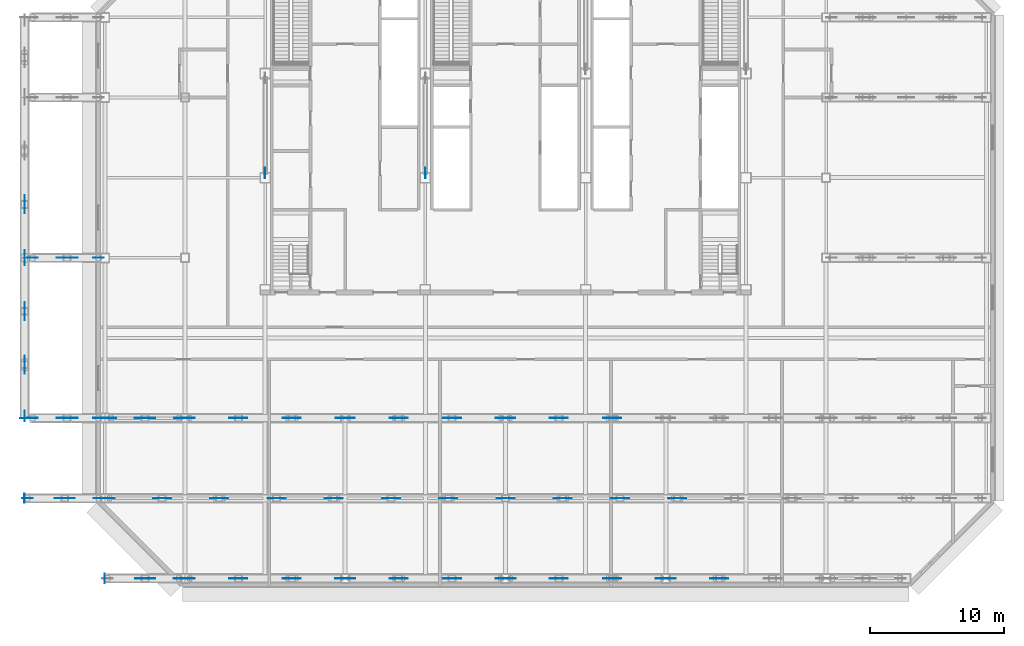
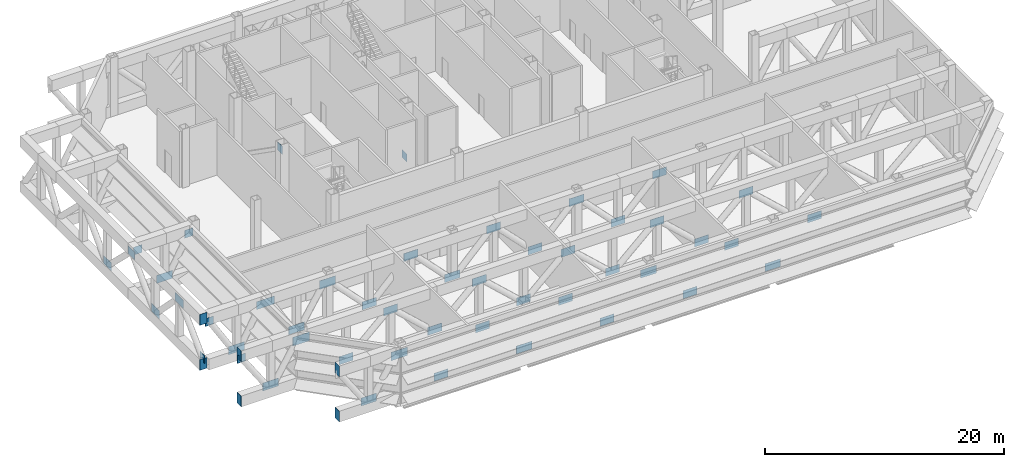
# One storey, part 11 of 17: 54 discrete accessories.
"""IFC4 building model written with IfcOpenShell, lengths in metres."""

from ifc_helpers import new_model, si_unit, direction, frame, origin, origin_2d, place, context, subcontext, project, spatial, rectangle, extrude, material, layer, layer_set, type_object, element, save


model = new_model("IFC4")

# Units and contexts
model_context = context("Model", 3, precision=1e-05, world=origin(), true_north=direction((0.0, 1.0)))
body_context = subcontext(model_context, "Body", "Model", "MODEL_VIEW")
ifc_project = project(units=[si_unit("LENGTHUNIT", "METRE"), si_unit("AREAUNIT", "SQUARE_METRE"), si_unit("VOLUMEUNIT", "CUBIC_METRE"), si_unit("PLANEANGLEUNIT", "RADIAN"), si_unit("MASSUNIT", "GRAM", prefix="KILO")], contexts=[model_context])

# Site, building, storey
site_placement = place(None, origin())
site = spatial("IfcSite", under=ifc_project, at=site_placement, CompositionType="ELEMENT")
building_placement = place(site_placement, origin())
building = spatial("IfcBuilding", under=site, at=building_placement, Name="Sorahane Residences", CompositionType="ELEMENT")
storey_placement = place(building_placement, frame((0.0, 0.0, 186.0)))
storey = spatial("IfcBuildingStorey", under=building, at=storey_placement, Name="L43", CompositionType="ELEMENT", Elevation=186.0)

# Discrete accessories
ifc_material_1 = material(Name="Steel Q420GJ", Category="steel")
ifc_layer_1 = layer(ifc_material_1, 0.02001953125)
ifc_layer_set_1 = layer_set([ifc_layer_1], Name="End plate Steel Q420GJ 700x1100x20")
discrete_accessory_type_1 = type_object("IfcDiscreteAccessoryType", Name="End plate Steel Q420GJ 700x1100x20", PredefinedType="USERDEFINED", material=ifc_layer_set_1)
for number, where, z_axis, x_axis, name in (
    (1, (-6.010009765625, 0.0, 0.0), (0.0, 0.0, 1.0), (1.0, 0.0, 0.0), "End plate L43"),
    (2, (-6.010009765625, 0.0, 4.599853515625), (0.0, 0.0, 1.0), (1.0, 0.0, 0.0), "End plate L43"),
    (3, (-12.010009765625, 6.0, 0.0), (0.0, 0.0, 1.0), (1.0, 0.0, 0.0), "End plate L43"),
    (4, (-12.010009765625, 6.0, 4.599853515625), (0.0, 0.0, 1.0), (1.0, 0.0, 0.0), "End plate L43"),
    (5, (-12.0, 11.989990234375, 0.0), (0.0, 0.0, 1.0), (0.0, 1.0, 0.0), "End plate L43"),
    (6, (-12.0, 11.989990234375, 4.599853515625), (0.0, 0.0, 1.0), (0.0, 1.0, 0.0), "End plate L43"),
):
    element("IfcDiscreteAccessory", number, at=place(storey_placement, frame(where, z_axis=z_axis, x_axis=x_axis)), inside=storey, type_object=discrete_accessory_type_1, Name=name, ObjectType="END PLATE", PredefinedType="USERDEFINED", context=body_context, shape_type="SweptSolid", body=[
        extrude(rectangle(XDim=0.02001953125, YDim=0.699951171875, at=origin_2d()), origin(), (0.0, 0.0, 1.0), 1.10009765625),
    ])
ifc_material_2 = material(Name="Steel Q355B", Category="steel")
ifc_layer_2 = layer(ifc_material_2, 0.02490234375)
ifc_layer_set_2 = layer_set([ifc_layer_2], Name="Node plate Steel Q355B 25")
discrete_accessory_type_2 = type_object("IfcDiscreteAccessoryType", Name="Node plate Steel Q355B 25", PredefinedType="BRACKET", material=ifc_layer_set_2)
for number, where, z_axis, x_axis, name in (
    (7, (6.0, 30.33984375, 4.71728515625), (0.0, 0.0, 1.0), (0.0, 1.0, 0.0), "Node plate L43 br"),
    (8, (18.0, 30.33984375, -0.26708984375), (0.0, 0.0, 1.0), (0.0, 1.0, 0.0), "Node plate L43 br"),
):
    element("IfcDiscreteAccessory", number, at=place(storey_placement, frame(where, z_axis=z_axis, x_axis=x_axis)), inside=storey, type_object=discrete_accessory_type_2, Name=name, PredefinedType="BRACKET", context=body_context, shape_type="SweptSolid", body=[
        extrude(rectangle(XDim=0.800048828125, YDim=0.02490234375, at=origin_2d()), origin(), (0.0, 0.0, 1.0), 0.800048828125),
    ])
ifc_material_3 = material(Name="Steel Q420GJ", Category="steel")
ifc_layer_3 = layer(ifc_material_3, 0.02490234375)
ifc_layer_set_3 = layer_set([ifc_layer_3], Name="Node plate Steel Q420GJ 25")
discrete_accessory_type_3 = type_object("IfcDiscreteAccessoryType", Name="Node plate Steel Q420GJ 25", PredefinedType="BRACKET", material=ifc_layer_set_3)
discrete_accessory_1_placement = place(storey_placement, frame((-12.0, 12.14990234375, 0.708984375), z_axis=(0.0, 0.0, 1.0), x_axis=(0.0, 1.0, 0.0)))
element("IfcDiscreteAccessory", 9, at=discrete_accessory_1_placement, inside=storey, type_object=discrete_accessory_type_3, Name="Node plate L43 tr", PredefinedType="BRACKET", context=body_context, shape_type="SweptSolid", body=[
    extrude(rectangle(XDim=0.800048828125, YDim=0.02490234375, at=origin_2d()), origin(), (0.0, 0.0, 1.0), 0.800048828125),
])
for number, where, z_axis, x_axis, name in (
    (10, (-12.0, 20.0, 0.693603515625), (0.0, 0.0, 1.0), (0.0, 1.0, 0.0), "Node plate L43 tr"),
    (11, (-12.0, 28.0, 0.693603515625), (0.0, 0.0, 1.0), (0.0, 1.0, 0.0), "Node plate L43 tr"),
    (12, (-12.0, 16.0, 4.19091796875), (0.0, 0.0, 1.0), (0.0, 1.0, 0.0), "Node plate L43 tr"),
):
    element("IfcDiscreteAccessory", number, at=place(storey_placement, frame(where, z_axis=z_axis, x_axis=x_axis)), inside=storey, type_object=discrete_accessory_type_3, Name=name, PredefinedType="BRACKET", context=body_context, shape_type="SweptSolid", body=[
        extrude(rectangle(XDim=1.35009765625, YDim=0.02490234375, at=origin_2d()), origin(), (0.0, 0.0, 1.0), 0.8154296875),
    ])
discrete_accessory_2_placement = place(storey_placement, frame((-12.0, 24.0, 4.19091796875), z_axis=(0.0, 0.0, 1.0), x_axis=(0.0, 1.0, 0.0)))
element("IfcDiscreteAccessory", 13, at=discrete_accessory_2_placement, inside=storey, type_object=discrete_accessory_type_3, Name="Node plate L43 tr", PredefinedType="BRACKET", context=body_context, shape_type="SweptSolid", body=[
    extrude(rectangle(XDim=1.10009765625, YDim=0.02490234375, at=origin_2d()), origin(), (0.0, 0.0, 1.0), 0.800048828125),
])
discrete_accessory_3_placement = place(storey_placement, frame((-2.984619140625, 0.0, 0.61865234375), z_axis=(0.0, 0.0, 1.0), x_axis=(1.0, 0.0, 0.0)))
element("IfcDiscreteAccessory", 14, at=discrete_accessory_3_placement, inside=storey, type_object=discrete_accessory_type_3, Name="Node plate L43 tr", PredefinedType="BRACKET", context=body_context, shape_type="SweptSolid", body=[
    extrude(rectangle(XDim=1.49560546875, YDim=0.02490234375, at=origin_2d()), origin(), (0.0, 0.0, 1.0), 0.80419921875),
])
discrete_accessory_4_placement = place(storey_placement, frame((4.0, 0.0, 0.68359375), z_axis=(0.0, 0.0, 1.0), x_axis=(1.0, 0.0, 0.0)))
element("IfcDiscreteAccessory", 15, at=discrete_accessory_4_placement, inside=storey, type_object=discrete_accessory_type_3, Name="Node plate L43 tr", PredefinedType="BRACKET", context=body_context, shape_type="SweptSolid", body=[
    extrude(rectangle(XDim=1.35009765625, YDim=0.02490234375, at=origin_2d()), origin(), (0.0, 0.0, 1.0), 0.81005859375),
])
discrete_accessory_5_placement = place(storey_placement, frame((12.0, 0.0, 0.68359375), z_axis=(0.0, 0.0, 1.0), x_axis=(1.0, 0.0, 0.0)))
element("IfcDiscreteAccessory", 16, at=discrete_accessory_5_placement, inside=storey, type_object=discrete_accessory_type_3, Name="Node plate L43 tr", PredefinedType="BRACKET", context=body_context, shape_type="SweptSolid", body=[
    extrude(rectangle(XDim=1.5, YDim=0.02490234375, at=origin_2d()), origin(), (0.0, 0.0, 1.0), 0.800048828125),
])
for number, where, z_axis, x_axis, name in (
    (17, (20.0, 0.0, 0.68359375), (0.0, 0.0, 1.0), (1.0, 0.0, 0.0), "Node plate L43 tr"),
    (18, (28.0, 0.0, 0.68359375), (0.0, 0.0, 1.0), (1.0, 0.0, 0.0), "Node plate L43 tr"),
):
    element("IfcDiscreteAccessory", number, at=place(storey_placement, frame(where, z_axis=z_axis, x_axis=x_axis)), inside=storey, type_object=discrete_accessory_type_3, Name=name, PredefinedType="BRACKET", context=body_context, shape_type="SweptSolid", body=[
        extrude(rectangle(XDim=1.35009765625, YDim=0.02490234375, at=origin_2d()), origin(), (0.0, 0.0, 1.0), 0.81005859375),
    ])
discrete_accessory_6_placement = place(storey_placement, frame((36.0, 0.0, 0.68359375), z_axis=(0.0, 0.0, 1.0), x_axis=(1.0, 0.0, 0.0)))
element("IfcDiscreteAccessory", 19, at=discrete_accessory_6_placement, inside=storey, type_object=discrete_accessory_type_3, Name="Node plate L43 tr", PredefinedType="BRACKET", context=body_context, shape_type="SweptSolid", body=[
    extrude(rectangle(XDim=1.5, YDim=0.02490234375, at=origin_2d()), origin(), (0.0, 0.0, 1.0), 0.800048828125),
])
discrete_accessory_7_placement = place(storey_placement, frame((-0.044189453125, 0.0, 4.21630859375), z_axis=(0.0, 0.0, 1.0), x_axis=(1.0, 0.0, 0.0)))
element("IfcDiscreteAccessory", 20, at=discrete_accessory_7_placement, inside=storey, type_object=discrete_accessory_type_3, Name="Node plate L43 tr", PredefinedType="BRACKET", context=body_context, shape_type="SweptSolid", body=[
    extrude(rectangle(XDim=1.588134765625, YDim=0.02490234375, at=origin_2d()), origin(), (0.0, 0.0, 1.0), 0.86083984375),
])
for number, where, z_axis, x_axis, name in (
    (21, (8.0, 0.0, 4.206298828125), (0.0, 0.0, 1.0), (1.0, 0.0, 0.0), "Node plate L43 tr"),
    (22, (16.0, 0.0, 4.206298828125), (0.0, 0.0, 1.0), (1.0, 0.0, 0.0), "Node plate L43 tr"),
):
    element("IfcDiscreteAccessory", number, at=place(storey_placement, frame(where, z_axis=z_axis, x_axis=x_axis)), inside=storey, type_object=discrete_accessory_type_3, Name=name, PredefinedType="BRACKET", context=body_context, shape_type="SweptSolid", body=[
        extrude(rectangle(XDim=1.35009765625, YDim=0.02490234375, at=origin_2d()), origin(), (0.0, 0.0, 1.0), 0.81005859375),
    ])
discrete_accessory_8_placement = place(storey_placement, frame((24.0, 0.0, 4.21630859375), z_axis=(0.0, 0.0, 1.0), x_axis=(1.0, 0.0, 0.0)))
element("IfcDiscreteAccessory", 23, at=discrete_accessory_8_placement, inside=storey, type_object=discrete_accessory_type_3, Name="Node plate L43 tr", PredefinedType="BRACKET", context=body_context, shape_type="SweptSolid", body=[
    extrude(rectangle(XDim=1.5, YDim=0.02490234375, at=origin_2d()), origin(), (0.0, 0.0, 1.0), 0.800048828125),
])
for number, where, z_axis, x_axis, name in (
    (24, (32.0, 0.0, 4.206298828125), (0.0, 0.0, 1.0), (1.0, 0.0, 0.0), "Node plate L43 tr"),
    (25, (40.0, 0.0, 4.206298828125), (0.0, 0.0, 1.0), (1.0, 0.0, 0.0), "Node plate L43 tr"),
):
    element("IfcDiscreteAccessory", number, at=place(storey_placement, frame(where, z_axis=z_axis, x_axis=x_axis)), inside=storey, type_object=discrete_accessory_type_3, Name=name, PredefinedType="BRACKET", context=body_context, shape_type="SweptSolid", body=[
        extrude(rectangle(XDim=1.35009765625, YDim=0.02490234375, at=origin_2d()), origin(), (0.0, 0.0, 1.0), 0.81005859375),
    ])
discrete_accessory_9_placement = place(storey_placement, frame((-8.984619140625, 6.0, 0.61865234375), z_axis=(0.0, 0.0, 1.0), x_axis=(1.0, 0.0, 0.0)))
element("IfcDiscreteAccessory", 26, at=discrete_accessory_9_placement, inside=storey, type_object=discrete_accessory_type_3, Name="Node plate L43 tr", PredefinedType="BRACKET", context=body_context, shape_type="SweptSolid", body=[
    extrude(rectangle(XDim=1.49560546875, YDim=0.02490234375, at=origin_2d()), origin(), (0.0, 0.0, 1.0), 0.80419921875),
])
discrete_accessory_10_placement = place(storey_placement, frame((-1.71435546875, 6.0, 0.71923828125), z_axis=(0.0, 0.0, 1.0), x_axis=(1.0, 0.0, 0.0)))
element("IfcDiscreteAccessory", 27, at=discrete_accessory_10_placement, inside=storey, type_object=discrete_accessory_type_3, Name="Node plate L43 tr", PredefinedType="BRACKET", context=body_context, shape_type="SweptSolid", body=[
    extrude(rectangle(XDim=1.35009765625, YDim=0.02490234375, at=origin_2d()), origin(), (0.0, 0.0, 1.0), 0.80810546875),
])
for number, where, z_axis, x_axis, name in (
    (28, (6.857177734375, 6.0, 0.72705078125), (0.0, 0.0, 1.0), (1.0, 0.0, 0.0), "Node plate L43 tr"),
    (29, (15.4287109375, 6.0, 0.72705078125), (0.0, 0.0, 1.0), (1.0, 0.0, 0.0), "Node plate L43 tr"),
    (30, (24.0, 6.0, 0.72705078125), (0.0, 0.0, 1.0), (1.0, 0.0, 0.0), "Node plate L43 tr"),
    (31, (32.5712890625, 6.0, 0.72705078125), (0.0, 0.0, 1.0), (1.0, 0.0, 0.0), "Node plate L43 tr"),
):
    element("IfcDiscreteAccessory", number, at=place(storey_placement, frame(where, z_axis=z_axis, x_axis=x_axis)), inside=storey, type_object=discrete_accessory_type_3, Name=name, PredefinedType="BRACKET", context=body_context, shape_type="SweptSolid", body=[
        extrude(rectangle(XDim=1.35009765625, YDim=0.02490234375, at=origin_2d()), origin(), (0.0, 0.0, 1.0), 0.800048828125),
    ])
discrete_accessory_11_placement = place(storey_placement, frame((-11.792724609375, 6.0, 4.28125), z_axis=(0.0, 0.0, 1.0), x_axis=(1.0, 0.0, 0.0)))
element("IfcDiscreteAccessory", 32, at=discrete_accessory_11_placement, inside=storey, type_object=discrete_accessory_type_3, Name="Node plate L43 tr", PredefinedType="BRACKET", context=body_context, shape_type="SweptSolid", body=[
    extrude(rectangle(XDim=0.800048828125, YDim=0.02490234375, at=origin_2d()), origin(), (0.0, 0.0, 1.0), 0.800048828125),
])
discrete_accessory_12_placement = place(storey_placement, frame((-6.044189453125, 6.0, 4.18115234375), z_axis=(0.0, 0.0, 1.0), x_axis=(1.0, 0.0, 0.0)))
element("IfcDiscreteAccessory", 33, at=discrete_accessory_12_placement, inside=storey, type_object=discrete_accessory_type_3, Name="Node plate L43 tr", PredefinedType="BRACKET", context=body_context, shape_type="SweptSolid", body=[
    extrude(rectangle(XDim=1.588134765625, YDim=0.02490234375, at=origin_2d()), origin(), (0.0, 0.0, 1.0), 0.896240234375),
])
for number, where, z_axis, x_axis, name in (
    (34, (2.5712890625, 6.0, 4.1728515625), (0.0, 0.0, 1.0), (1.0, 0.0, 0.0), "Node plate L43 tr"),
    (35, (11.142822265625, 6.0, 4.1728515625), (0.0, 0.0, 1.0), (1.0, 0.0, 0.0), "Node plate L43 tr"),
    (36, (19.71435546875, 6.0, 4.1728515625), (0.0, 0.0, 1.0), (1.0, 0.0, 0.0), "Node plate L43 tr"),
    (37, (28.28564453125, 6.0, 4.1728515625), (0.0, 0.0, 1.0), (1.0, 0.0, 0.0), "Node plate L43 tr"),
    (38, (36.857177734375, 6.0, 4.1728515625), (0.0, 0.0, 1.0), (1.0, 0.0, 0.0), "Node plate L43 tr"),
):
    element("IfcDiscreteAccessory", number, at=place(storey_placement, frame(where, z_axis=z_axis, x_axis=x_axis)), inside=storey, type_object=discrete_accessory_type_3, Name=name, PredefinedType="BRACKET", context=body_context, shape_type="SweptSolid", body=[
        extrude(rectangle(XDim=1.35009765625, YDim=0.02490234375, at=origin_2d()), origin(), (0.0, 0.0, 1.0), 0.800048828125),
    ])
discrete_accessory_13_placement = place(storey_placement, frame((-8.81005859375, 12.0, 0.6220703125), z_axis=(0.0, 0.0, 1.0), x_axis=(1.0, 0.0, 0.0)))
element("IfcDiscreteAccessory", 39, at=discrete_accessory_13_placement, inside=storey, type_object=discrete_accessory_type_3, Name="Node plate L43 tr", PredefinedType="BRACKET", context=body_context, shape_type="SweptSolid", body=[
    extrude(rectangle(XDim=1.548583984375, YDim=0.02490234375, at=origin_2d()), origin(), (0.0, 0.0, 1.0), 0.8046875),
])
discrete_accessory_14_placement = place(storey_placement, frame((-3.001953125, 12.0, 0.6220703125), z_axis=(0.0, 0.0, 1.0), x_axis=(1.0, 0.0, 0.0)))
element("IfcDiscreteAccessory", 40, at=discrete_accessory_14_placement, inside=storey, type_object=discrete_accessory_type_3, Name="Node plate L43 tr", PredefinedType="BRACKET", context=body_context, shape_type="SweptSolid", body=[
    extrude(rectangle(XDim=1.522705078125, YDim=0.02490234375, at=origin_2d()), origin(), (0.0, 0.0, 1.0), 0.800537109375),
])
discrete_accessory_15_placement = place(storey_placement, frame((4.0, 12.0, 0.68701171875), z_axis=(0.0, 0.0, 1.0), x_axis=(1.0, 0.0, 0.0)))
element("IfcDiscreteAccessory", 41, at=discrete_accessory_15_placement, inside=storey, type_object=discrete_accessory_type_3, Name="Node plate L43 tr", PredefinedType="BRACKET", context=body_context, shape_type="SweptSolid", body=[
    extrude(rectangle(XDim=1.35009765625, YDim=0.02490234375, at=origin_2d()), origin(), (0.0, 0.0, 1.0), 0.806640625),
])
discrete_accessory_16_placement = place(storey_placement, frame((12.0, 12.0, 0.68701171875), z_axis=(0.0, 0.0, 1.0), x_axis=(1.0, 0.0, 0.0)))
element("IfcDiscreteAccessory", 42, at=discrete_accessory_16_placement, inside=storey, type_object=discrete_accessory_type_3, Name="Node plate L43 tr", PredefinedType="BRACKET", context=body_context, shape_type="SweptSolid", body=[
    extrude(rectangle(XDim=1.449951171875, YDim=0.02490234375, at=origin_2d()), origin(), (0.0, 0.0, 1.0), 0.800048828125),
])
for number, where, z_axis, x_axis, name in (
    (43, (20.0, 12.0, 0.68701171875), (0.0, 0.0, 1.0), (1.0, 0.0, 0.0), "Node plate L43 tr"),
    (44, (28.0, 12.0, 0.68701171875), (0.0, 0.0, 1.0), (1.0, 0.0, 0.0), "Node plate L43 tr"),
):
    element("IfcDiscreteAccessory", number, at=place(storey_placement, frame(where, z_axis=z_axis, x_axis=x_axis)), inside=storey, type_object=discrete_accessory_type_3, Name=name, PredefinedType="BRACKET", context=body_context, shape_type="SweptSolid", body=[
        extrude(rectangle(XDim=1.35009765625, YDim=0.02490234375, at=origin_2d()), origin(), (0.0, 0.0, 1.0), 0.806640625),
    ])
discrete_accessory_17_placement = place(storey_placement, frame((-11.41552734375, 12.0, 4.27783203125), z_axis=(0.0, 0.0, 1.0), x_axis=(1.0, 0.0, 0.0)))
element("IfcDiscreteAccessory", 45, at=discrete_accessory_17_placement, inside=storey, type_object=discrete_accessory_type_3, Name="Node plate L43 tr", PredefinedType="BRACKET", context=body_context, shape_type="SweptSolid", body=[
    extrude(rectangle(XDim=0.800048828125, YDim=0.02490234375, at=origin_2d()), origin(), (0.0, 0.0, 1.0), 0.800048828125),
])
discrete_accessory_18_placement = place(storey_placement, frame((-6.012939453125, 12.0, 4.2734375), z_axis=(0.0, 0.0, 1.0), x_axis=(1.0, 0.0, 0.0)))
element("IfcDiscreteAccessory", 46, at=discrete_accessory_18_placement, inside=storey, type_object=discrete_accessory_type_3, Name="Node plate L43 tr", PredefinedType="BRACKET", context=body_context, shape_type="SweptSolid", body=[
    extrude(rectangle(XDim=1.702392578125, YDim=0.02490234375, at=origin_2d()), origin(), (0.0, 0.0, 1.0), 0.803955078125),
])
discrete_accessory_19_placement = place(storey_placement, frame((-0.042236328125, 12.0, 4.212890625), z_axis=(0.0, 0.0, 1.0), x_axis=(1.0, 0.0, 0.0)))
element("IfcDiscreteAccessory", 47, at=discrete_accessory_19_placement, inside=storey, type_object=discrete_accessory_type_3, Name="Node plate L43 tr", PredefinedType="BRACKET", context=body_context, shape_type="SweptSolid", body=[
    extrude(rectangle(XDim=1.534423828125, YDim=0.02490234375, at=origin_2d()), origin(), (0.0, 0.0, 1.0), 0.86474609375),
])
for number, where, z_axis, x_axis, name in (
    (48, (8.0, 12.0, 4.206298828125), (0.0, 0.0, 1.0), (1.0, 0.0, 0.0), "Node plate L43 tr"),
    (49, (16.0, 12.0, 4.206298828125), (0.0, 0.0, 1.0), (1.0, 0.0, 0.0), "Node plate L43 tr"),
):
    element("IfcDiscreteAccessory", number, at=place(storey_placement, frame(where, z_axis=z_axis, x_axis=x_axis)), inside=storey, type_object=discrete_accessory_type_3, Name=name, PredefinedType="BRACKET", context=body_context, shape_type="SweptSolid", body=[
        extrude(rectangle(XDim=1.35009765625, YDim=0.02490234375, at=origin_2d()), origin(), (0.0, 0.0, 1.0), 0.806640625),
    ])
discrete_accessory_20_placement = place(storey_placement, frame((24.0, 12.0, 4.212890625), z_axis=(0.0, 0.0, 1.0), x_axis=(1.0, 0.0, 0.0)))
element("IfcDiscreteAccessory", 50, at=discrete_accessory_20_placement, inside=storey, type_object=discrete_accessory_type_3, Name="Node plate L43 tr", PredefinedType="BRACKET", context=body_context, shape_type="SweptSolid", body=[
    extrude(rectangle(XDim=1.449951171875, YDim=0.02490234375, at=origin_2d()), origin(), (0.0, 0.0, 1.0), 0.800048828125),
])
discrete_accessory_21_placement = place(storey_placement, frame((32.0, 12.0, 4.206298828125), z_axis=(0.0, 0.0, 1.0), x_axis=(1.0, 0.0, 0.0)))
element("IfcDiscreteAccessory", 51, at=discrete_accessory_21_placement, inside=storey, type_object=discrete_accessory_type_3, Name="Node plate L43 tr", PredefinedType="BRACKET", context=body_context, shape_type="SweptSolid", body=[
    extrude(rectangle(XDim=1.35009765625, YDim=0.02490234375, at=origin_2d()), origin(), (0.0, 0.0, 1.0), 0.806640625),
])
discrete_accessory_22_placement = place(storey_placement, frame((-8.81005859375, 24.0, 0.6220703125), z_axis=(0.0, 0.0, 1.0), x_axis=(1.0, 0.0, 0.0)))
element("IfcDiscreteAccessory", 52, at=discrete_accessory_22_placement, inside=storey, type_object=discrete_accessory_type_3, Name="Node plate L43 tr", PredefinedType="BRACKET", context=body_context, shape_type="SweptSolid", body=[
    extrude(rectangle(XDim=1.548583984375, YDim=0.02490234375, at=origin_2d()), origin(), (0.0, 0.0, 1.0), 0.8046875),
])
for number, where, z_axis, x_axis, name in (
    (53, (-11.41552734375, 24.0, 4.27783203125), (0.0, 0.0, 1.0), (1.0, 0.0, 0.0), "Node plate L43 tr"),
    (54, (-6.464111328125, 24.0, 4.27294921875), (0.0, 0.0, 1.0), (1.0, 0.0, 0.0), "Node plate L43 tr"),
):
    element("IfcDiscreteAccessory", number, at=place(storey_placement, frame(where, z_axis=z_axis, x_axis=x_axis)), inside=storey, type_object=discrete_accessory_type_3, Name=name, PredefinedType="BRACKET", context=body_context, shape_type="SweptSolid", body=[
        extrude(rectangle(XDim=0.800048828125, YDim=0.02490234375, at=origin_2d()), origin(), (0.0, 0.0, 1.0), 0.800048828125),
    ])

save(model, "model.ifc")
